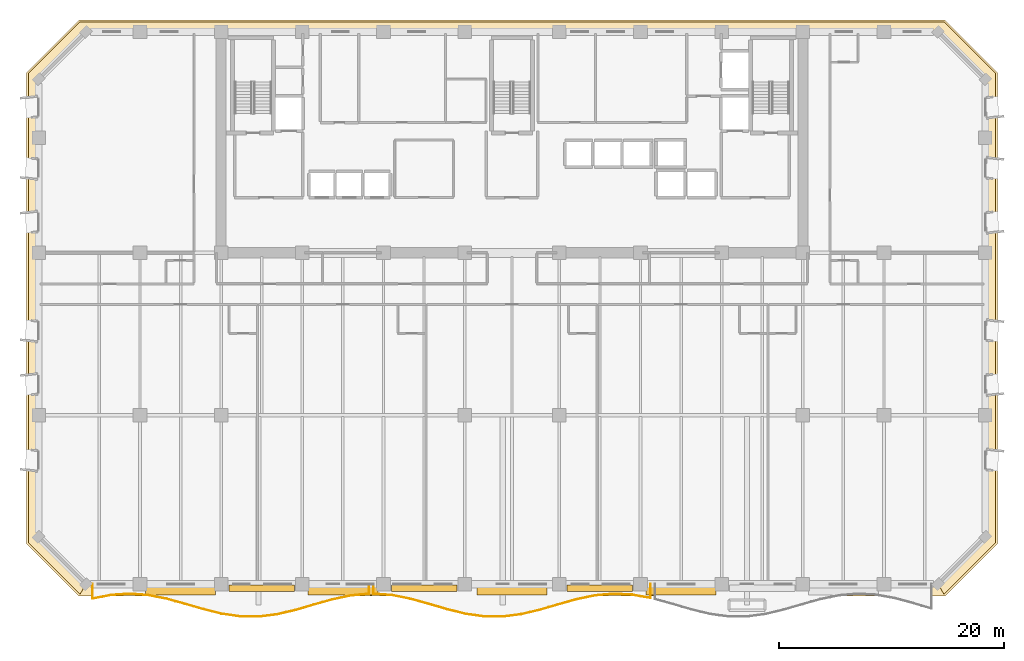
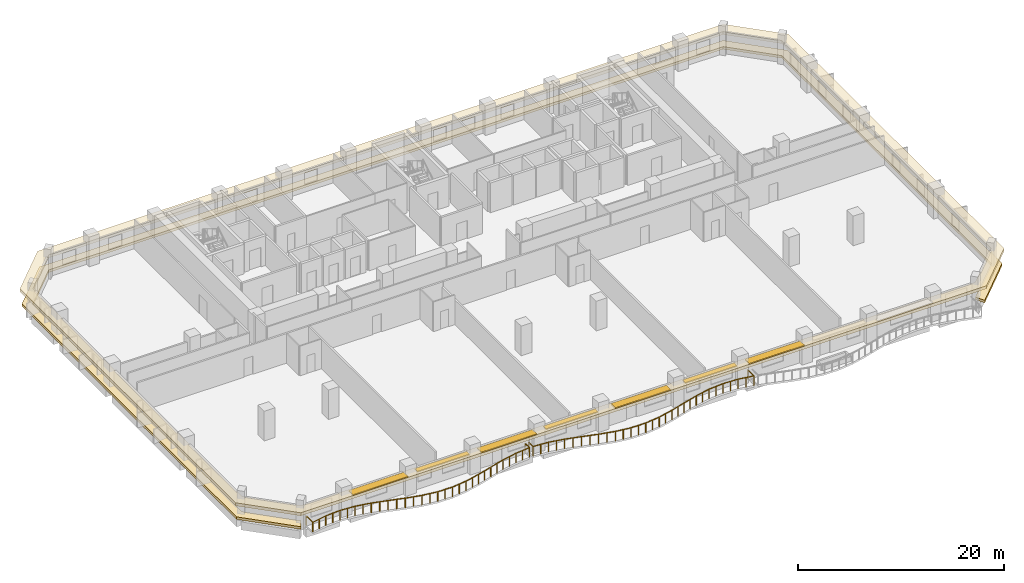
# One storey, part 11 of 14: 7 shading devices, 2 coverings, 2 railings.
"""IFC4 building model written with IfcOpenShell, lengths in metres."""

from ifc_helpers import new_model, si_unit, direction, frame, origin, origin_2d, place, context, subcontext, project, spatial, polyline, rectangle, outline, extrude, material, layer, layer_set, type_object, element, save


model = new_model("IFC4")

# Units and contexts
model_context = context("Model", 3, precision=1e-05, world=origin(), true_north=direction((0.0, 1.0)))
body_context = subcontext(model_context, "Body", "Model", "MODEL_VIEW")
ifc_project = project(units=[si_unit("LENGTHUNIT", "METRE"), si_unit("AREAUNIT", "SQUARE_METRE"), si_unit("VOLUMEUNIT", "CUBIC_METRE"), si_unit("PLANEANGLEUNIT", "RADIAN"), si_unit("MASSUNIT", "GRAM", prefix="KILO")], contexts=[model_context])

# Site, building, storey
site_placement = place(None, origin())
site = spatial("IfcSite", under=ifc_project, at=site_placement, CompositionType="ELEMENT")
building_placement = place(site_placement, origin())
building = spatial("IfcBuilding", under=site, at=building_placement, Name="Kaelvorn Grand Hotel", CompositionType="ELEMENT")
storey_placement = place(building_placement, frame((0.0, 0.0, 126.800048828125)))
storey = spatial("IfcBuildingStorey", under=building, at=storey_placement, Name="L30", CompositionType="ELEMENT", Elevation=126.800048828125)

# Coverings
ifc_material_1 = material(Name="Precast concrete C45/55", Category="concrete")
ifc_layer_1 = layer(ifc_material_1, 0.260009765625)
ifc_layer_set_1 = layer_set([ifc_layer_1], Name="Precast concrete C45/55")
covering_type_1 = type_object("IfcCoveringType", Name="COV-BAND-STREAMLINE-HEAD", PredefinedType="CLADDING", material=ifc_layer_set_1)
covering_1_placement = place(storey_placement, frame((0.0, 0.0, 2.179931640625)))
element("IfcCovering", 1, at=covering_1_placement, inside=storey, type_object=covering_type_1, Name="L30 Streamline Moderne Wraparound Horizontal Eyebrow Band", PredefinedType="CLADDING", context=body_context, shape_type="SweptSolid", body=[
    extrude(outline(polyline([(3.590087890625, -1.050048828125), (80.409912109375, -1.050048828125), (85.050048828125, 3.590087890625), (85.050048828125, 45.409912109375), (80.409912109375, 50.050048828125), (3.590087890625, 50.050048828125), (-1.050048828125, 45.409912109375), (-1.050048828125, 3.590087890625), (3.590087890625, -1.050048828125)]), holes=[polyline([(4.219970703125, 0.030029296875), (79.780029296875, 0.030029296875), (83.969970703125, 4.219970703125), (83.969970703125, 44.780029296875), (79.780029296875, 48.969970703125), (4.219970703125, 48.969970703125), (0.030029296875, 44.780029296875), (0.030029296875, 4.219970703125), (4.219970703125, 0.030029296875)])]), origin(), (0.0, 0.0, 1.0), 0.360107421875),
])
ifc_layer_2 = layer(ifc_material_1, 0.219970703125)
ifc_layer_set_2 = layer_set([ifc_layer_2], Name="Precast concrete C45/55")
covering_type_2 = type_object("IfcCoveringType", Name="COV-BAND-STREAMLINE-SILL", PredefinedType="CLADDING", material=ifc_layer_set_2)
covering_2_placement = place(storey_placement, frame((0.0, 0.0, 0.449951171875)))
element("IfcCovering", 2, at=covering_2_placement, inside=storey, type_object=covering_type_2, Name="L30 Streamline Moderne Wraparound Horizontal Sill Spandrel Band", PredefinedType="CLADDING", context=body_context, shape_type="SweptSolid", body=[
    extrude(outline(polyline([(80.3154296875, -0.8798828125), (84.8798828125, 3.6845703125), (84.8798828125, 45.3154296875), (80.3154296875, 49.8798828125), (3.6845703125, 49.8798828125), (-0.8798828125, 45.3154296875), (-0.8798828125, 3.6845703125), (3.6845703125, -0.8798828125), (4.217529296875, 0.030029296875), (0.030029296875, 4.217529296875), (0.030029296875, 44.782470703125), (4.217529296875, 48.969970703125), (79.782470703125, 48.969970703125), (83.969970703125, 44.782470703125), (83.969970703125, 4.217529296875), (79.782470703125, 0.030029296875), (80.3154296875, -0.8798828125)])), origin(), (0.0, 0.0, 1.0), 0.300048828125),
])

# Railings
ifc_material_2 = material(Name="Stainless Steel", Category="steel")
railing_type = type_object("IfcRailingType", Name="RL-BALC-1150", PredefinedType="BALUSTRADE", material=ifc_material_2)
railing_1_placement = place(storey_placement, frame((4.800048828125, 0.0, 0.0)))
element("IfcRailing", 3, at=railing_1_placement, inside=storey, type_object=railing_type, Name="L30 Scalloped Wave Balcony Balustrade GR1-1", PredefinedType="BALUSTRADE", context=body_context, shape_type="SweptSolid", body=[
    extrude(rectangle(XDim=0.048095703125, YDim=0.048095703125, at=origin_2d()), frame((0.0, 0.0, 1.1259765625), z_axis=(0.0, -1.0, 0.0), x_axis=(1.0, 0.0, 0.0)), (0.0, 0.0, 1.0), 1.2724609375),
    extrude(rectangle(XDim=0.048095703125, YDim=0.048095703125, at=origin_2d()), frame((0.0, -1.2724609375, 1.1259765625), z_axis=(0.982203562984, 0.1878194901, 0.0), x_axis=(-0.1878194901, 0.982203562984, 0.0)), (0.0, 0.0, 1.0), 1.6650390625),
    extrude(rectangle(XDim=0.048095703125, YDim=0.048095703125, at=origin_2d()), frame((1.635498046875, -0.959716796875, 1.1259765625), z_axis=(0.997761369143, 0.066874885019, 0.0), x_axis=(-0.066874885019, 0.997761369143, 0.0)), (0.0, 0.0, 1.0), 1.63916015625),
    extrude(rectangle(XDim=0.048095703125, YDim=0.048095703125, at=origin_2d()), frame((3.27099609375, -0.85009765625, 1.1259765625), z_axis=(0.997411632493, -0.071902957984, 0.0), x_axis=(0.071902957984, 0.997411632493, 0.0)), (0.0, 0.0, 1.0), 1.639892578125),
    extrude(rectangle(XDim=0.048095703125, YDim=0.048095703125, at=origin_2d()), frame((4.90673828125, -0.968017578125, 1.1259765625), z_axis=(0.981438838615, -0.191775405247, 0.0), x_axis=(0.191775405247, 0.981438838615, 0.0)), (0.0, 0.0, 1.0), 1.66650390625),
    extrude(rectangle(XDim=0.048095703125, YDim=0.048095703125, at=origin_2d()), frame((6.542236328125, -1.28759765625, 1.1259765625), z_axis=(0.96417686915, -0.265260183586, 0.0), x_axis=(0.265260183586, 0.96417686915, 0.0)), (0.0, 0.0, 1.0), 1.6962890625),
    extrude(rectangle(XDim=0.048095703125, YDim=0.048095703125, at=origin_2d()), frame((8.177734375, -1.737548828125, 1.1259765625), z_axis=(0.959454398454, -0.281863898516, 0.0), x_axis=(0.281863898516, 0.959454398454, 0.0)), (0.0, 0.0, 1.0), 1.70458984375),
    extrude(rectangle(XDim=0.048095703125, YDim=0.048095703125, at=origin_2d()), frame((9.813232421875, -2.218017578125, 1.1259765625), z_axis=(0.970778455787, -0.239977477651, 0.0), x_axis=(0.239977477651, 0.970778455787, 0.0)), (0.0, 0.0, 1.0), 1.684814453125),
    extrude(rectangle(XDim=0.048095703125, YDim=0.048095703125, at=origin_2d()), frame((11.44873046875, -2.622314453125, 1.1259765625), z_axis=(0.98955581649, -0.144150220432, 0.0), x_axis=(0.144150220432, 0.98955581649, 0.0)), (0.0, 0.0, 1.0), 1.653076171875),
    extrude(rectangle(XDim=0.048095703125, YDim=0.048095703125, at=origin_2d()), frame((13.08447265625, -2.860595703125, 1.1259765625), z_axis=(0.999928700978, -0.011941229449, 0.0), x_axis=(0.011941229449, 0.999928700978, 0.0)), (0.0, 0.0, 1.0), 1.635498046875),
    extrude(rectangle(XDim=0.048095703125, YDim=0.048095703125, at=origin_2d()), frame((14.719970703125, -2.880126953125, 1.1259765625), z_axis=(0.992302924099, 0.123834190856, 0.0), x_axis=(-0.123834190856, 0.992302924099, 0.0)), (0.0, 0.0, 1.0), 1.648193359375),
    extrude(rectangle(XDim=0.048095703125, YDim=0.048095703125, at=origin_2d()), frame((16.35546875, -2.676025390625, 1.1259765625), z_axis=(0.973844426508, 0.227215829024, 0.0), x_axis=(-0.227215829024, 0.973844426508, 0.0)), (0.0, 0.0, 1.0), 1.679443359375),
    extrude(rectangle(XDim=0.048095703125, YDim=0.048095703125, at=origin_2d()), frame((17.990966796875, -2.29443359375, 1.1259765625), z_axis=(0.960314032901, 0.278921060899, 0.0), x_axis=(-0.278921060899, 0.960314032901, 0.0)), (0.0, 0.0, 1.0), 1.703369140625),
    extrude(rectangle(XDim=0.048095703125, YDim=0.048095703125, at=origin_2d()), frame((19.626708984375, -1.8193359375, 1.1259765625), z_axis=(0.962241545122, 0.272197003733, 0.0), x_axis=(-0.272197003733, 0.962241545122, 0.0)), (0.0, 0.0, 1.0), 1.69970703125),
    extrude(rectangle(XDim=0.048095703125, YDim=0.048095703125, at=origin_2d()), frame((21.26220703125, -1.356689453125, 1.1259765625), z_axis=(0.978174805455, 0.207783661466, 0.0), x_axis=(-0.207783661466, 0.978174805455, 0.0)), (0.0, 0.0, 1.0), 1.671875),
    extrude(rectangle(XDim=0.048095703125, YDim=0.048095703125, at=origin_2d()), frame((22.897705078125, -1.00927734375, 1.1259765625), z_axis=(0.995523480824, 0.09451454453, 0.0), x_axis=(-0.09451454453, 0.995523480824, 0.0)), (0.0, 0.0, 1.0), 1.642822265625),
    extrude(rectangle(XDim=0.048095703125, YDim=0.048095703125, at=origin_2d()), frame((24.533203125, -0.85400390625, 1.1259765625), z_axis=(0.0, 1.0, 0.0), x_axis=(-1.0, 0.0, 0.0)), (0.0, 0.0, 1.0), 0.85400390625),
    extrude(rectangle(XDim=0.0419921875, YDim=0.0419921875, at=origin_2d()), origin(), (0.0, 0.0, 1.0), 1.101806640625),
    extrude(rectangle(XDim=0.0419921875, YDim=0.0419921875, at=origin_2d()), frame((0.0, -1.2724609375, 0.0)), (0.0, 0.0, 1.0), 1.101806640625),
    extrude(rectangle(XDim=0.0419921875, YDim=0.0419921875, at=origin_2d()), frame((0.81787109375, -1.1162109375, 0.0)), (0.0, 0.0, 1.0), 1.101806640625),
    extrude(rectangle(XDim=0.0419921875, YDim=0.0419921875, at=origin_2d()), frame((1.635498046875, -0.959716796875, 0.0)), (0.0, 0.0, 1.0), 1.101806640625),
    extrude(rectangle(XDim=0.0419921875, YDim=0.0419921875, at=origin_2d()), frame((2.453125, -0.90478515625, 0.0)), (0.0, 0.0, 1.0), 1.101806640625),
    extrude(rectangle(XDim=0.0419921875, YDim=0.0419921875, at=origin_2d()), frame((3.27099609375, -0.85009765625, 0.0)), (0.0, 0.0, 1.0), 1.101806640625),
    extrude(rectangle(XDim=0.0419921875, YDim=0.0419921875, at=origin_2d()), frame((4.0888671875, -0.9091796875, 0.0)), (0.0, 0.0, 1.0), 1.101806640625),
    extrude(rectangle(XDim=0.0419921875, YDim=0.0419921875, at=origin_2d()), frame((4.90673828125, -0.968017578125, 0.0)), (0.0, 0.0, 1.0), 1.101806640625),
    extrude(rectangle(XDim=0.0419921875, YDim=0.0419921875, at=origin_2d()), frame((5.724609375, -1.1279296875, 0.0)), (0.0, 0.0, 1.0), 1.101806640625),
    extrude(rectangle(XDim=0.0419921875, YDim=0.0419921875, at=origin_2d()), frame((6.542236328125, -1.28759765625, 0.0)), (0.0, 0.0, 1.0), 1.101806640625),
    extrude(rectangle(XDim=0.0419921875, YDim=0.0419921875, at=origin_2d()), frame((7.35986328125, -1.5126953125, 0.0)), (0.0, 0.0, 1.0), 1.101806640625),
    extrude(rectangle(XDim=0.0419921875, YDim=0.0419921875, at=origin_2d()), frame((8.177734375, -1.737548828125, 0.0)), (0.0, 0.0, 1.0), 1.101806640625),
    extrude(rectangle(XDim=0.0419921875, YDim=0.0419921875, at=origin_2d()), frame((8.99560546875, -1.977783203125, 0.0)), (0.0, 0.0, 1.0), 1.101806640625),
    extrude(rectangle(XDim=0.0419921875, YDim=0.0419921875, at=origin_2d()), frame((9.813232421875, -2.218017578125, 0.0)), (0.0, 0.0, 1.0), 1.101806640625),
    extrude(rectangle(XDim=0.0419921875, YDim=0.0419921875, at=origin_2d()), frame((10.630859375, -2.420166015625, 0.0)), (0.0, 0.0, 1.0), 1.101806640625),
    extrude(rectangle(XDim=0.0419921875, YDim=0.0419921875, at=origin_2d()), frame((11.44873046875, -2.622314453125, 0.0)), (0.0, 0.0, 1.0), 1.101806640625),
    extrude(rectangle(XDim=0.0419921875, YDim=0.0419921875, at=origin_2d()), frame((12.2666015625, -2.741455078125, 0.0)), (0.0, 0.0, 1.0), 1.101806640625),
    extrude(rectangle(XDim=0.0419921875, YDim=0.0419921875, at=origin_2d()), frame((13.08447265625, -2.860595703125, 0.0)), (0.0, 0.0, 1.0), 1.101806640625),
    extrude(rectangle(XDim=0.0419921875, YDim=0.0419921875, at=origin_2d()), frame((13.90234375, -2.870361328125, 0.0)), (0.0, 0.0, 1.0), 1.101806640625),
    extrude(rectangle(XDim=0.0419921875, YDim=0.0419921875, at=origin_2d()), frame((14.719970703125, -2.880126953125, 0.0)), (0.0, 0.0, 1.0), 1.101806640625),
    extrude(rectangle(XDim=0.0419921875, YDim=0.0419921875, at=origin_2d()), frame((15.53759765625, -2.778076171875, 0.0)), (0.0, 0.0, 1.0), 1.101806640625),
    extrude(rectangle(XDim=0.0419921875, YDim=0.0419921875, at=origin_2d()), frame((16.35546875, -2.676025390625, 0.0)), (0.0, 0.0, 1.0), 1.101806640625),
    extrude(rectangle(XDim=0.0419921875, YDim=0.0419921875, at=origin_2d()), frame((17.17333984375, -2.4853515625, 0.0)), (0.0, 0.0, 1.0), 1.101806640625),
    extrude(rectangle(XDim=0.0419921875, YDim=0.0419921875, at=origin_2d()), frame((17.990966796875, -2.29443359375, 0.0)), (0.0, 0.0, 1.0), 1.101806640625),
    extrude(rectangle(XDim=0.0419921875, YDim=0.0419921875, at=origin_2d()), frame((18.808837890625, -2.056884765625, 0.0)), (0.0, 0.0, 1.0), 1.101806640625),
    extrude(rectangle(XDim=0.0419921875, YDim=0.0419921875, at=origin_2d()), frame((19.626708984375, -1.8193359375, 0.0)), (0.0, 0.0, 1.0), 1.101806640625),
    extrude(rectangle(XDim=0.0419921875, YDim=0.0419921875, at=origin_2d()), frame((20.4443359375, -1.587890625, 0.0)), (0.0, 0.0, 1.0), 1.101806640625),
    extrude(rectangle(XDim=0.0419921875, YDim=0.0419921875, at=origin_2d()), frame((21.26220703125, -1.356689453125, 0.0)), (0.0, 0.0, 1.0), 1.101806640625),
    extrude(rectangle(XDim=0.0419921875, YDim=0.0419921875, at=origin_2d()), frame((22.080078125, -1.18310546875, 0.0)), (0.0, 0.0, 1.0), 1.101806640625),
    extrude(rectangle(XDim=0.0419921875, YDim=0.0419921875, at=origin_2d()), frame((22.897705078125, -1.00927734375, 0.0)), (0.0, 0.0, 1.0), 1.101806640625),
    extrude(rectangle(XDim=0.0419921875, YDim=0.0419921875, at=origin_2d()), frame((23.71533203125, -0.931640625, 0.0)), (0.0, 0.0, 1.0), 1.101806640625),
    extrude(rectangle(XDim=0.0419921875, YDim=0.0419921875, at=origin_2d()), frame((24.533203125, -0.85400390625, 0.0)), (0.0, 0.0, 1.0), 1.101806640625),
    extrude(rectangle(XDim=0.0419921875, YDim=0.0419921875, at=origin_2d()), frame((24.533203125, 0.0, 0.0)), (0.0, 0.0, 1.0), 1.101806640625),
])
railing_2_placement = place(storey_placement, frame((29.7333984375, 0.0, 0.0)))
element("IfcRailing", 4, at=railing_2_placement, inside=storey, type_object=railing_type, Name="L30 Scalloped Wave Balcony Balustrade GR1-2", PredefinedType="BALUSTRADE", context=body_context, shape_type="SweptSolid", body=[
    extrude(rectangle(XDim=0.048095703125, YDim=0.048095703125, at=origin_2d()), frame((0.0, 0.0, 1.1259765625), z_axis=(0.0, -1.0, 0.0), x_axis=(1.0, 0.0, 0.0)), (0.0, 0.0, 1.0), 0.850341796875),
    extrude(rectangle(XDim=0.048095703125, YDim=0.048095703125, at=origin_2d()), frame((0.0, -0.850341796875, 1.1259765625), z_axis=(0.997023764101, -0.077094836514, 0.0), x_axis=(0.077094836514, 0.997023764101, 0.0)), (0.0, 0.0, 1.0), 1.640380859375),
    extrude(rectangle(XDim=0.048095703125, YDim=0.048095703125, at=origin_2d()), frame((1.635498046875, -0.976806640625, 1.1259765625), z_axis=(0.980687509387, -0.195581208022, 0.0), x_axis=(0.195581208022, 0.980687509387, 0.0)), (0.0, 0.0, 1.0), 1.667724609375),
    extrude(rectangle(XDim=0.048095703125, YDim=0.048095703125, at=origin_2d()), frame((3.27099609375, -1.302978515625, 1.1259765625), z_axis=(0.963696999215, -0.266998302813, 0.0), x_axis=(0.266998302813, 0.963696999215, 0.0)), (0.0, 0.0, 1.0), 1.697021484375),
    extrude(rectangle(XDim=0.048095703125, YDim=0.048095703125, at=origin_2d()), frame((4.906494140625, -1.756103515625, 1.1259765625), z_axis=(0.959620545058, -0.281297723954, 0.0), x_axis=(0.281297723954, 0.959620545058, 0.0)), (0.0, 0.0, 1.0), 1.70458984375),
    extrude(rectangle(XDim=0.048095703125, YDim=0.048095703125, at=origin_2d()), frame((6.542236328125, -2.235595703125, 1.1259765625), z_axis=(0.971450272651, -0.237243267063, 0.0), x_axis=(0.237243267063, 0.971450272651, 0.0)), (0.0, 0.0, 1.0), 1.68359375),
    extrude(rectangle(XDim=0.048095703125, YDim=0.048095703125, at=origin_2d()), frame((8.177734375, -2.635009765625, 1.1259765625), z_axis=(0.990216726889, -0.139537929569, 0.0), x_axis=(0.139537929569, 0.990216726889, 0.0)), (0.0, 0.0, 1.0), 1.651611328125),
    extrude(rectangle(XDim=0.048095703125, YDim=0.048095703125, at=origin_2d()), frame((9.813232421875, -2.865478515625, 1.1259765625), z_axis=(0.999978430437, -0.006568002827, 0.0), x_axis=(0.006568002827, 0.999978430437, 0.0)), (0.0, 0.0, 1.0), 1.635498046875),
    extrude(rectangle(XDim=0.048095703125, YDim=0.048095703125, at=origin_2d()), frame((11.44873046875, -2.876220703125, 1.1259765625), z_axis=(0.991731137416, 0.128332969573, 0.0), x_axis=(-0.128332969573, 0.991731137416, 0.0)), (0.0, 0.0, 1.0), 1.6494140625),
    extrude(rectangle(XDim=0.048095703125, YDim=0.048095703125, at=origin_2d()), frame((13.08447265625, -2.66455078125, 1.1259765625), z_axis=(0.973100001254, 0.230383132108, 0.0), x_axis=(-0.230383132108, 0.973100001254, 0.0)), (0.0, 0.0, 1.0), 1.6806640625),
    extrude(rectangle(XDim=0.048095703125, YDim=0.048095703125, at=origin_2d()), frame((14.719970703125, -2.27734375, 1.1259765625), z_axis=(0.960072199194, 0.27975234107, 0.0), x_axis=(-0.27975234107, 0.960072199194, 0.0)), (0.0, 0.0, 1.0), 1.70361328125),
    extrude(rectangle(XDim=0.048095703125, YDim=0.048095703125, at=origin_2d()), frame((16.35546875, -1.80078125, 1.1259765625), z_axis=(0.962654451324, 0.270733092446, 0.0), x_axis=(-0.270733092446, 0.962654451324, 0.0)), (0.0, 0.0, 1.0), 1.698974609375),
    extrude(rectangle(XDim=0.048095703125, YDim=0.048095703125, at=origin_2d()), frame((17.990966796875, -1.3408203125, 1.1259765625), z_axis=(0.97891716502, 0.204257641298, 0.0), x_axis=(-0.204257641298, 0.97891716502, 0.0)), (0.0, 0.0, 1.0), 1.6708984375),
    extrude(rectangle(XDim=0.048095703125, YDim=0.048095703125, at=origin_2d()), frame((19.626708984375, -0.99951171875, 1.1259765625), z_axis=(0.9959865086, 0.089503489801, 0.0), x_axis=(-0.089503489801, 0.9959865086, 0.0)), (0.0, 0.0, 1.0), 1.64208984375),
    extrude(rectangle(XDim=0.048095703125, YDim=0.048095703125, at=origin_2d()), frame((21.26220703125, -0.8525390625, 1.1259765625), z_axis=(0.998796192394, -0.049052686565, 0.0), x_axis=(0.049052686565, 0.998796192394, 0.0)), (0.0, 0.0, 1.0), 1.637451171875),
    extrude(rectangle(XDim=0.048095703125, YDim=0.048095703125, at=origin_2d()), frame((22.897705078125, -0.932861328125, 1.1259765625), z_axis=(0.984712445929, -0.174187826306, 0.0), x_axis=(0.174187826306, 0.984712445929, 0.0)), (0.0, 0.0, 1.0), 1.660888671875),
    extrude(rectangle(XDim=0.048095703125, YDim=0.048095703125, at=origin_2d()), frame((24.533203125, -1.22216796875, 1.1259765625), z_axis=(0.0, 1.0, 0.0), x_axis=(-1.0, 0.0, 0.0)), (0.0, 0.0, 1.0), 1.22216796875),
    extrude(rectangle(XDim=0.0419921875, YDim=0.0419921875, at=origin_2d()), origin(), (0.0, 0.0, 1.0), 1.101806640625),
    extrude(rectangle(XDim=0.0419921875, YDim=0.0419921875, at=origin_2d()), frame((0.0, -0.850341796875, 0.0)), (0.0, 0.0, 1.0), 1.101806640625),
    extrude(rectangle(XDim=0.0419921875, YDim=0.0419921875, at=origin_2d()), frame((0.81787109375, -0.91357421875, 0.0)), (0.0, 0.0, 1.0), 1.101806640625),
    extrude(rectangle(XDim=0.0419921875, YDim=0.0419921875, at=origin_2d()), frame((1.635498046875, -0.976806640625, 0.0)), (0.0, 0.0, 1.0), 1.101806640625),
    extrude(rectangle(XDim=0.0419921875, YDim=0.0419921875, at=origin_2d()), frame((2.453125, -1.139892578125, 0.0)), (0.0, 0.0, 1.0), 1.101806640625),
    extrude(rectangle(XDim=0.0419921875, YDim=0.0419921875, at=origin_2d()), frame((3.27099609375, -1.302978515625, 0.0)), (0.0, 0.0, 1.0), 1.101806640625),
    extrude(rectangle(XDim=0.0419921875, YDim=0.0419921875, at=origin_2d()), frame((4.0888671875, -1.529541015625, 0.0)), (0.0, 0.0, 1.0), 1.101806640625),
    extrude(rectangle(XDim=0.0419921875, YDim=0.0419921875, at=origin_2d()), frame((4.906494140625, -1.756103515625, 0.0)), (0.0, 0.0, 1.0), 1.101806640625),
    extrude(rectangle(XDim=0.0419921875, YDim=0.0419921875, at=origin_2d()), frame((5.724365234375, -1.995849609375, 0.0)), (0.0, 0.0, 1.0), 1.101806640625),
    extrude(rectangle(XDim=0.0419921875, YDim=0.0419921875, at=origin_2d()), frame((6.542236328125, -2.235595703125, 0.0)), (0.0, 0.0, 1.0), 1.101806640625),
    extrude(rectangle(XDim=0.0419921875, YDim=0.0419921875, at=origin_2d()), frame((7.35986328125, -2.435302734375, 0.0)), (0.0, 0.0, 1.0), 1.101806640625),
    extrude(rectangle(XDim=0.0419921875, YDim=0.0419921875, at=origin_2d()), frame((8.177734375, -2.635009765625, 0.0)), (0.0, 0.0, 1.0), 1.101806640625),
    extrude(rectangle(XDim=0.0419921875, YDim=0.0419921875, at=origin_2d()), frame((8.99560546875, -2.750244140625, 0.0)), (0.0, 0.0, 1.0), 1.101806640625),
    extrude(rectangle(XDim=0.0419921875, YDim=0.0419921875, at=origin_2d()), frame((9.813232421875, -2.865478515625, 0.0)), (0.0, 0.0, 1.0), 1.101806640625),
    extrude(rectangle(XDim=0.0419921875, YDim=0.0419921875, at=origin_2d()), frame((10.630859375, -2.870849609375, 0.0)), (0.0, 0.0, 1.0), 1.101806640625),
    extrude(rectangle(XDim=0.0419921875, YDim=0.0419921875, at=origin_2d()), frame((11.44873046875, -2.876220703125, 0.0)), (0.0, 0.0, 1.0), 1.101806640625),
    extrude(rectangle(XDim=0.0419921875, YDim=0.0419921875, at=origin_2d()), frame((12.2666015625, -2.7705078125, 0.0)), (0.0, 0.0, 1.0), 1.101806640625),
    extrude(rectangle(XDim=0.0419921875, YDim=0.0419921875, at=origin_2d()), frame((13.08447265625, -2.66455078125, 0.0)), (0.0, 0.0, 1.0), 1.101806640625),
    extrude(rectangle(XDim=0.0419921875, YDim=0.0419921875, at=origin_2d()), frame((13.90234375, -2.470947265625, 0.0)), (0.0, 0.0, 1.0), 1.101806640625),
    extrude(rectangle(XDim=0.0419921875, YDim=0.0419921875, at=origin_2d()), frame((14.719970703125, -2.27734375, 0.0)), (0.0, 0.0, 1.0), 1.101806640625),
    extrude(rectangle(XDim=0.0419921875, YDim=0.0419921875, at=origin_2d()), frame((15.53759765625, -2.0390625, 0.0)), (0.0, 0.0, 1.0), 1.101806640625),
    extrude(rectangle(XDim=0.0419921875, YDim=0.0419921875, at=origin_2d()), frame((16.35546875, -1.80078125, 0.0)), (0.0, 0.0, 1.0), 1.101806640625),
    extrude(rectangle(XDim=0.0419921875, YDim=0.0419921875, at=origin_2d()), frame((17.17333984375, -1.57080078125, 0.0)), (0.0, 0.0, 1.0), 1.101806640625),
    extrude(rectangle(XDim=0.0419921875, YDim=0.0419921875, at=origin_2d()), frame((17.990966796875, -1.3408203125, 0.0)), (0.0, 0.0, 1.0), 1.101806640625),
    extrude(rectangle(XDim=0.0419921875, YDim=0.0419921875, at=origin_2d()), frame((18.808837890625, -1.170166015625, 0.0)), (0.0, 0.0, 1.0), 1.101806640625),
    extrude(rectangle(XDim=0.0419921875, YDim=0.0419921875, at=origin_2d()), frame((19.626708984375, -0.99951171875, 0.0)), (0.0, 0.0, 1.0), 1.101806640625),
    extrude(rectangle(XDim=0.0419921875, YDim=0.0419921875, at=origin_2d()), frame((20.4443359375, -0.926025390625, 0.0)), (0.0, 0.0, 1.0), 1.101806640625),
    extrude(rectangle(XDim=0.0419921875, YDim=0.0419921875, at=origin_2d()), frame((21.26220703125, -0.8525390625, 0.0)), (0.0, 0.0, 1.0), 1.101806640625),
    extrude(rectangle(XDim=0.0419921875, YDim=0.0419921875, at=origin_2d()), frame((22.080078125, -0.892578125, 0.0)), (0.0, 0.0, 1.0), 1.101806640625),
    extrude(rectangle(XDim=0.0419921875, YDim=0.0419921875, at=origin_2d()), frame((22.897705078125, -0.932861328125, 0.0)), (0.0, 0.0, 1.0), 1.101806640625),
    extrude(rectangle(XDim=0.0419921875, YDim=0.0419921875, at=origin_2d()), frame((23.71533203125, -1.07763671875, 0.0)), (0.0, 0.0, 1.0), 1.101806640625),
    extrude(rectangle(XDim=0.0419921875, YDim=0.0419921875, at=origin_2d()), frame((24.533203125, -1.22216796875, 0.0)), (0.0, 0.0, 1.0), 1.101806640625),
    extrude(rectangle(XDim=0.0419921875, YDim=0.0419921875, at=origin_2d()), frame((24.533203125, 0.0, 0.0)), (0.0, 0.0, 1.0), 1.101806640625),
])

# Shading devices
ifc_layer_3 = layer(ifc_material_1, 0.1201171875)
ifc_layer_set_3 = layer_set([ifc_layer_3], Name="Precast concrete C45/55")
shading_device_type_1 = type_object("IfcShadingDeviceType", Name="SHD-SUNSHADE-550", PredefinedType="USERDEFINED", material=ifc_layer_set_3)
for number, where, z_axis, x_axis, name in (
    (5, (19.800048828125, -0.364990234375, 2.419921875), (0.0, 0.0, 1.0), (1.0, 0.0, 0.0), "L30 Horizontal Concrete Sunshade Band SS-03"),
    (6, (34.199951171875, -0.364990234375, 2.419921875), (0.0, 0.0, 1.0), (1.0, 0.0, 0.0), "L30 Horizontal Concrete Sunshade Band SS-05"),
    (7, (49.800048828125, -0.364990234375, 2.419921875), (0.0, 0.0, 1.0), (1.0, 0.0, 0.0), "L30 Horizontal Concrete Sunshade Band SS-07"),
):
    element("IfcShadingDevice", number, at=place(storey_placement, frame(where, z_axis=z_axis, x_axis=x_axis)), inside=storey, type_object=shading_device_type_1, Name=name, ObjectType="SUNSHADE", PredefinedType="USERDEFINED", context=body_context, shape_type="SweptSolid", body=[
        extrude(rectangle(XDim=5.800048828125, YDim=0.550048828125, at=origin_2d()), origin(), (0.0, 0.0, 1.0), 0.1201171875),
    ])
ifc_layer_4 = layer(ifc_material_1, 0.139892578125)
ifc_layer_set_4 = layer_set([ifc_layer_4], Name="Precast concrete C45/55")
shading_device_type_2 = type_object("IfcShadingDeviceType", Name="SHD-SUNSHADE-850", PredefinedType="USERDEFINED", material=ifc_layer_set_4)
for number, where, z_axis, x_axis, name in (
    (8, (12.60009765625, -0.514892578125, 2.41015625), (0.0, 0.0, 1.0), (1.0, 0.0, 0.0), "L30 Horizontal Concrete Sunshade Band SS-02"),
    (9, (27.0, -0.514892578125, 2.41015625), (0.0, 0.0, 1.0), (1.0, 0.0, 0.0), "L30 Horizontal Concrete Sunshade Band SS-04"),
    (10, (42.0, -0.514892578125, 2.41015625), (0.0, 0.0, 1.0), (1.0, 0.0, 0.0), "L30 Horizontal Concrete Sunshade Band SS-06"),
    (11, (57.0, -0.514892578125, 2.41015625), (0.0, 0.0, 1.0), (1.0, 0.0, 0.0), "L30 Horizontal Concrete Sunshade Band SS-08"),
):
    element("IfcShadingDevice", number, at=place(storey_placement, frame(where, z_axis=z_axis, x_axis=x_axis)), inside=storey, type_object=shading_device_type_2, Name=name, ObjectType="SUNSHADE", PredefinedType="USERDEFINED", context=body_context, shape_type="SweptSolid", body=[
        extrude(rectangle(XDim=6.199951171875, YDim=0.85009765625, at=origin_2d()), origin(), (0.0, 0.0, 1.0), 0.139892578125),
    ])

save(model, "model.ifc")
